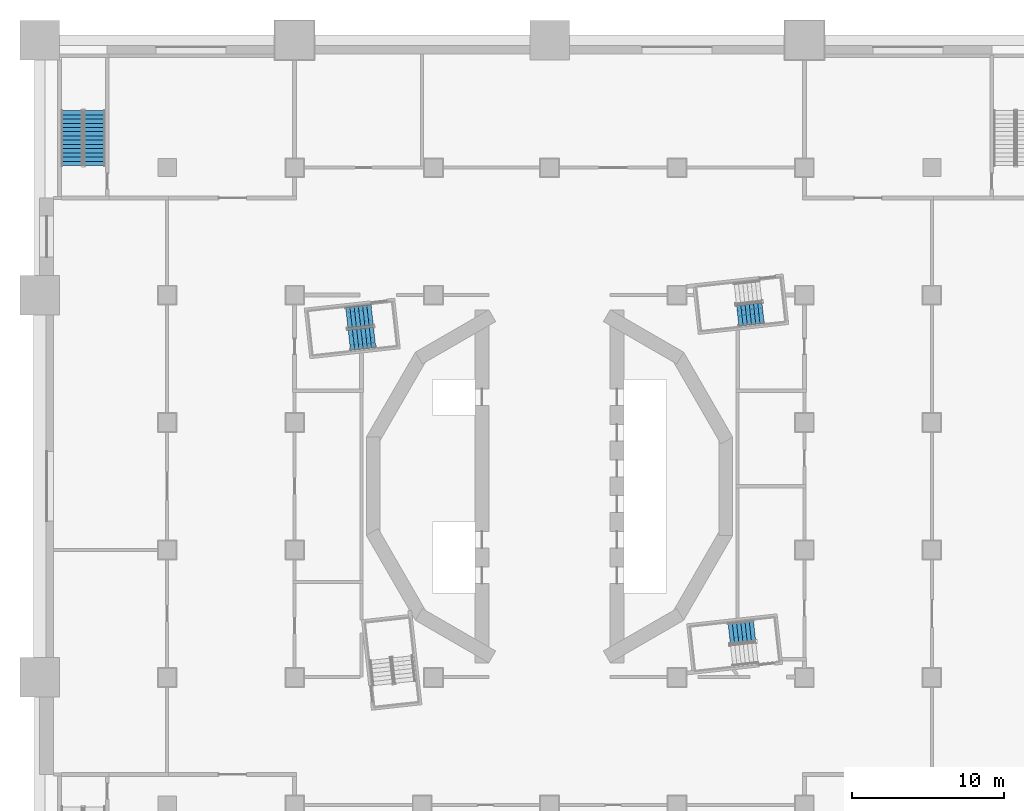
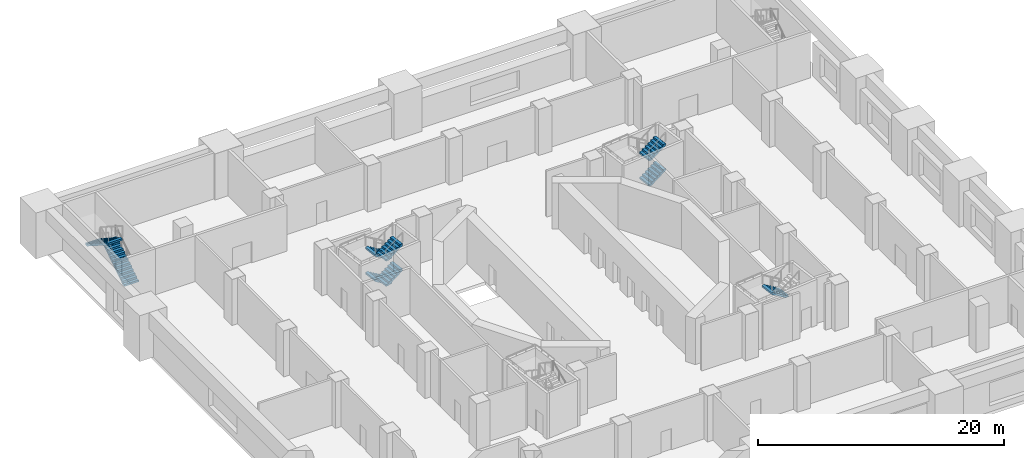
# One storey, part 7 of 17: 9 stair flights, 4 elements without a shape of their own.
"""IFC4 building model written with IfcOpenShell, lengths in metres."""

from ifc_helpers import new_model, si_unit, direction, frame, origin, place, context, subcontext, project, spatial, polyline, outline, extrude, material, type_object, element, aggregate, save


model = new_model("IFC4")

# Units and contexts
model_context = context("Model", 3, precision=1e-05, world=origin(), true_north=direction((0.0, 1.0)))
body_context = subcontext(model_context, "Body", "Model", "MODEL_VIEW")
ifc_project = project(units=[si_unit("LENGTHUNIT", "METRE"), si_unit("AREAUNIT", "SQUARE_METRE"), si_unit("VOLUMEUNIT", "CUBIC_METRE"), si_unit("PLANEANGLEUNIT", "RADIAN"), si_unit("MASSUNIT", "GRAM", prefix="KILO")], contexts=[model_context])

# Site, building, storey
site_placement = place(None, origin())
site = spatial("IfcSite", under=ifc_project, at=site_placement, CompositionType="ELEMENT")
building_placement = place(site_placement, origin())
building = spatial("IfcBuilding", under=site, at=building_placement, Name="Cantera Rosa Tower", CompositionType="ELEMENT")
storey_placement = place(building_placement, frame((0.0, 0.0, 32.0)))
storey = spatial("IfcBuildingStorey", under=building, at=storey_placement, Name="L05", CompositionType="ELEMENT", Elevation=32.0)

# Stair, stair flights
ifc_material_1 = material(Name="Concrete C35/45", Category="concrete")
stair_type_1 = type_object("IfcStairType", Name="EXIT STAIR 1350 DOGLEG", PredefinedType="HALF_TURN_STAIR", material=ifc_material_1)
stair_1_placement = place(storey_placement, origin())
stair_1 = element("IfcStair", 1, at=stair_1_placement, inside=storey, type_object=stair_type_1, Name="L05 ST-11", PredefinedType="HALF_TURN_STAIR")
ifc_material_2 = material(Name="Concrete C35/45", Category="concrete")
stair_flight_type_1 = type_object("IfcStairFlightType", Name="STAIR FLIGHT 1350 R28x179", PredefinedType="STRAIGHT", material=ifc_material_2)
stair_flight_1_placement = place(storey_placement, frame((12.404541015625, 11.2236328125, 1.25), z_axis=(0.0, 0.0, 1.0), x_axis=(0.993896947056, 0.110312549749, 0.0)))
stair_flight_1 = element("IfcStairFlight", 2, at=stair_flight_1_placement, type_object=stair_flight_type_1, Name="ST-11 flight 2", NumberOfRisers=7, NumberOfTreads=6, PredefinedType="STRAIGHT", RiserHeight=0.178571429, TreadLength=0.28, context=body_context, shape_type="SweptSolid", body=[
    extrude(outline(polyline([(0.0, 0.0), (0.0, 0.178466796875), (0.280029296875, 0.178466796875), (0.280029296875, 0.357177734375), (0.56005859375, 0.357177734375), (0.56005859375, 0.53564453125), (0.840087890625, 0.53564453125), (0.840087890625, 0.71435546875), (1.1201171875, 0.71435546875), (1.1201171875, 0.892822265625), (1.39990234375, 0.892822265625), (1.39990234375, 1.071533203125), (1.679931640625, 1.071533203125), (1.679931640625, 1.25), (1.679931640625, 0.8935546875), (0.27880859375, 0.0), (0.0, 0.0)])), frame((0.0, 0.675048828125, 0.0), z_axis=(0.0, -1.0, 0.0), x_axis=(1.0, 0.0, 0.0)), (0.0, 0.0, 1.0), 0.3359375),
    extrude(outline(polyline([(0.0, 0.0), (0.0, 0.178466796875), (0.280029296875, 0.178466796875), (0.280029296875, 0.357177734375), (0.56005859375, 0.357177734375), (0.56005859375, 0.53564453125), (0.840087890625, 0.53564453125), (0.840087890625, 0.71435546875), (1.1201171875, 0.71435546875), (1.1201171875, 0.892822265625), (1.39990234375, 0.892822265625), (1.39990234375, 1.071533203125), (1.679931640625, 1.071533203125), (1.679931640625, 1.25), (1.679931640625, 0.8935546875), (0.27880859375, 0.0), (0.0, 0.0)])), frame((0.0, 0.337158203125, 0.0), z_axis=(0.0, -1.0, 0.0), x_axis=(1.0, 0.0, 0.0)), (0.0, 0.0, 1.0), 0.3359375),
    extrude(outline(polyline([(0.0, 0.0), (0.0, 0.178466796875), (0.280029296875, 0.178466796875), (0.280029296875, 0.357177734375), (0.56005859375, 0.357177734375), (0.56005859375, 0.53564453125), (0.840087890625, 0.53564453125), (0.840087890625, 0.71435546875), (1.1201171875, 0.71435546875), (1.1201171875, 0.892822265625), (1.39990234375, 0.892822265625), (1.39990234375, 1.071533203125), (1.679931640625, 1.071533203125), (1.679931640625, 1.25), (1.679931640625, 0.8935546875), (0.27880859375, 0.0), (0.0, 0.0)])), frame((0.0, -0.000732421875, 0.0), z_axis=(0.0, -1.0, 0.0), x_axis=(1.0, 0.0, 0.0)), (0.0, 0.0, 1.0), 0.3359375),
    extrude(outline(polyline([(0.0, 0.0), (0.0, 0.178466796875), (0.280029296875, 0.178466796875), (0.280029296875, 0.357177734375), (0.56005859375, 0.357177734375), (0.56005859375, 0.53564453125), (0.840087890625, 0.53564453125), (0.840087890625, 0.71435546875), (1.1201171875, 0.71435546875), (1.1201171875, 0.892822265625), (1.39990234375, 0.892822265625), (1.39990234375, 1.071533203125), (1.679931640625, 1.071533203125), (1.679931640625, 1.25), (1.679931640625, 0.8935546875), (0.27880859375, 0.0), (0.0, 0.0)])), frame((0.0, -0.338623046875, 0.0), z_axis=(0.0, -1.0, 0.0), x_axis=(1.0, 0.0, 0.0)), (0.0, 0.0, 1.0), 0.3359375),
])
stair_flight_2_placement = place(storey_placement, frame((12.404541015625, 11.2236328125, 3.75), z_axis=(0.0, 0.0, 1.0), x_axis=(0.993896947056, 0.110312549749, 0.0)))
stair_flight_2 = element("IfcStairFlight", 3, at=stair_flight_2_placement, type_object=stair_flight_type_1, Name="ST-11 flight 4", NumberOfRisers=7, NumberOfTreads=6, PredefinedType="STRAIGHT", RiserHeight=0.178571429, TreadLength=0.28, context=body_context, shape_type="SweptSolid", body=[
    extrude(outline(polyline([(0.0, 0.0), (0.0, 0.178466796875), (0.280029296875, 0.178466796875), (0.280029296875, 0.357177734375), (0.56005859375, 0.357177734375), (0.56005859375, 0.53564453125), (0.840087890625, 0.53564453125), (0.840087890625, 0.71435546875), (1.1201171875, 0.71435546875), (1.1201171875, 0.892822265625), (1.39990234375, 0.892822265625), (1.39990234375, 1.071533203125), (1.679931640625, 1.071533203125), (1.679931640625, 1.25), (1.679931640625, 0.8935546875), (0.27880859375, 0.0), (0.0, 0.0)])), frame((0.0, 0.675048828125, 0.0), z_axis=(0.0, -1.0, 0.0), x_axis=(1.0, 0.0, 0.0)), (0.0, 0.0, 1.0), 0.3359375),
    extrude(outline(polyline([(0.0, 0.0), (0.0, 0.178466796875), (0.280029296875, 0.178466796875), (0.280029296875, 0.357177734375), (0.56005859375, 0.357177734375), (0.56005859375, 0.53564453125), (0.840087890625, 0.53564453125), (0.840087890625, 0.71435546875), (1.1201171875, 0.71435546875), (1.1201171875, 0.892822265625), (1.39990234375, 0.892822265625), (1.39990234375, 1.071533203125), (1.679931640625, 1.071533203125), (1.679931640625, 1.25), (1.679931640625, 0.8935546875), (0.27880859375, 0.0), (0.0, 0.0)])), frame((0.0, 0.337158203125, 0.0), z_axis=(0.0, -1.0, 0.0), x_axis=(1.0, 0.0, 0.0)), (0.0, 0.0, 1.0), 0.3359375),
    extrude(outline(polyline([(0.0, 0.0), (0.0, 0.178466796875), (0.280029296875, 0.178466796875), (0.280029296875, 0.357177734375), (0.56005859375, 0.357177734375), (0.56005859375, 0.53564453125), (0.840087890625, 0.53564453125), (0.840087890625, 0.71435546875), (1.1201171875, 0.71435546875), (1.1201171875, 0.892822265625), (1.39990234375, 0.892822265625), (1.39990234375, 1.071533203125), (1.679931640625, 1.071533203125), (1.679931640625, 1.25), (1.679931640625, 0.8935546875), (0.27880859375, 0.0), (0.0, 0.0)])), frame((0.0, -0.000732421875, 0.0), z_axis=(0.0, -1.0, 0.0), x_axis=(1.0, 0.0, 0.0)), (0.0, 0.0, 1.0), 0.3359375),
    extrude(outline(polyline([(0.0, 0.0), (0.0, 0.178466796875), (0.280029296875, 0.178466796875), (0.280029296875, 0.357177734375), (0.56005859375, 0.357177734375), (0.56005859375, 0.53564453125), (0.840087890625, 0.53564453125), (0.840087890625, 0.71435546875), (1.1201171875, 0.71435546875), (1.1201171875, 0.892822265625), (1.39990234375, 0.892822265625), (1.39990234375, 1.071533203125), (1.679931640625, 1.071533203125), (1.679931640625, 1.25), (1.679931640625, 0.8935546875), (0.27880859375, 0.0), (0.0, 0.0)])), frame((0.0, -0.338623046875, 0.0), z_axis=(0.0, -1.0, 0.0), x_axis=(1.0, 0.0, 0.0)), (0.0, 0.0, 1.0), 0.3359375),
])
aggregate(stair_1, [stair_flight_1, stair_flight_2])

stair_2_placement = place(storey_placement, origin())
stair_2 = element("IfcStair", 4, at=stair_2_placement, inside=storey, type_object=stair_type_1, Name="L05 ST-12", PredefinedType="HALF_TURN_STAIR")
stair_flight_3_placement = place(storey_placement, frame((-11.691162109375, 11.2998046875, 0.0), z_axis=(0.0, 0.0, 1.0), x_axis=(-0.993896947056, -0.110312549749, 0.0)))
stair_flight_3 = element("IfcStairFlight", 5, at=stair_flight_3_placement, type_object=stair_flight_type_1, Name="ST-12 flight 1", NumberOfRisers=7, NumberOfTreads=6, PredefinedType="STRAIGHT", RiserHeight=0.178571429, TreadLength=0.28, context=body_context, shape_type="SweptSolid", body=[
    extrude(outline(polyline([(0.0, 0.0), (0.0, 0.178466796875), (0.280029296875, 0.178466796875), (0.280029296875, 0.357177734375), (0.56005859375, 0.357177734375), (0.56005859375, 0.53564453125), (0.840087890625, 0.53564453125), (0.840087890625, 0.71435546875), (1.1201171875, 0.71435546875), (1.1201171875, 0.892822265625), (1.39990234375, 0.892822265625), (1.39990234375, 1.071533203125), (1.679931640625, 1.071533203125), (1.679931640625, 1.25), (1.679931640625, 0.8935546875), (0.27880859375, 0.0), (0.0, 0.0)])), frame((0.0, 0.675048828125, 0.0), z_axis=(0.0, -1.0, 0.0), x_axis=(1.0, 0.0, 0.0)), (0.0, 0.0, 1.0), 0.3359375),
    extrude(outline(polyline([(0.0, 0.0), (0.0, 0.178466796875), (0.280029296875, 0.178466796875), (0.280029296875, 0.357177734375), (0.56005859375, 0.357177734375), (0.56005859375, 0.53564453125), (0.840087890625, 0.53564453125), (0.840087890625, 0.71435546875), (1.1201171875, 0.71435546875), (1.1201171875, 0.892822265625), (1.39990234375, 0.892822265625), (1.39990234375, 1.071533203125), (1.679931640625, 1.071533203125), (1.679931640625, 1.25), (1.679931640625, 0.8935546875), (0.27880859375, 0.0), (0.0, 0.0)])), frame((0.0, 0.337158203125, 0.0), z_axis=(0.0, -1.0, 0.0), x_axis=(1.0, 0.0, 0.0)), (0.0, 0.0, 1.0), 0.3359375),
    extrude(outline(polyline([(0.0, 0.0), (0.0, 0.178466796875), (0.280029296875, 0.178466796875), (0.280029296875, 0.357177734375), (0.56005859375, 0.357177734375), (0.56005859375, 0.53564453125), (0.840087890625, 0.53564453125), (0.840087890625, 0.71435546875), (1.1201171875, 0.71435546875), (1.1201171875, 0.892822265625), (1.39990234375, 0.892822265625), (1.39990234375, 1.071533203125), (1.679931640625, 1.071533203125), (1.679931640625, 1.25), (1.679931640625, 0.8935546875), (0.27880859375, 0.0), (0.0, 0.0)])), frame((0.0, -0.000732421875, 0.0), z_axis=(0.0, -1.0, 0.0), x_axis=(1.0, 0.0, 0.0)), (0.0, 0.0, 1.0), 0.3359375),
    extrude(outline(polyline([(0.0, 0.0), (0.0, 0.178466796875), (0.280029296875, 0.178466796875), (0.280029296875, 0.357177734375), (0.56005859375, 0.357177734375), (0.56005859375, 0.53564453125), (0.840087890625, 0.53564453125), (0.840087890625, 0.71435546875), (1.1201171875, 0.71435546875), (1.1201171875, 0.892822265625), (1.39990234375, 0.892822265625), (1.39990234375, 1.071533203125), (1.679931640625, 1.071533203125), (1.679931640625, 1.25), (1.679931640625, 0.8935546875), (0.27880859375, 0.0), (0.0, 0.0)])), frame((0.0, -0.338623046875, 0.0), z_axis=(0.0, -1.0, 0.0), x_axis=(1.0, 0.0, 0.0)), (0.0, 0.0, 1.0), 0.3359375),
])
stair_flight_4_placement = place(storey_placement, frame((-13.195556640625, 9.623779296875, 1.25), z_axis=(0.0, 0.0, 1.0), x_axis=(0.993896947056, 0.110312549749, 0.0)))
stair_flight_4 = element("IfcStairFlight", 6, at=stair_flight_4_placement, type_object=stair_flight_type_1, Name="ST-12 flight 2", NumberOfRisers=7, NumberOfTreads=6, PredefinedType="STRAIGHT", RiserHeight=0.178571429, TreadLength=0.28, context=body_context, shape_type="SweptSolid", body=[
    extrude(outline(polyline([(0.0, 0.0), (0.0, 0.178466796875), (0.280029296875, 0.178466796875), (0.280029296875, 0.357177734375), (0.56005859375, 0.357177734375), (0.56005859375, 0.53564453125), (0.840087890625, 0.53564453125), (0.840087890625, 0.71435546875), (1.1201171875, 0.71435546875), (1.1201171875, 0.892822265625), (1.39990234375, 0.892822265625), (1.39990234375, 1.071533203125), (1.679931640625, 1.071533203125), (1.679931640625, 1.25), (1.679931640625, 0.8935546875), (0.27880859375, 0.0), (0.0, 0.0)])), frame((0.0, 0.675048828125, 0.0), z_axis=(0.0, -1.0, 0.0), x_axis=(1.0, 0.0, 0.0)), (0.0, 0.0, 1.0), 0.3359375),
    extrude(outline(polyline([(0.0, 0.0), (0.0, 0.178466796875), (0.280029296875, 0.178466796875), (0.280029296875, 0.357177734375), (0.56005859375, 0.357177734375), (0.56005859375, 0.53564453125), (0.840087890625, 0.53564453125), (0.840087890625, 0.71435546875), (1.1201171875, 0.71435546875), (1.1201171875, 0.892822265625), (1.39990234375, 0.892822265625), (1.39990234375, 1.071533203125), (1.679931640625, 1.071533203125), (1.679931640625, 1.25), (1.679931640625, 0.8935546875), (0.27880859375, 0.0), (0.0, 0.0)])), frame((0.0, 0.337158203125, 0.0), z_axis=(0.0, -1.0, 0.0), x_axis=(1.0, 0.0, 0.0)), (0.0, 0.0, 1.0), 0.3359375),
    extrude(outline(polyline([(0.0, 0.0), (0.0, 0.178466796875), (0.280029296875, 0.178466796875), (0.280029296875, 0.357177734375), (0.56005859375, 0.357177734375), (0.56005859375, 0.53564453125), (0.840087890625, 0.53564453125), (0.840087890625, 0.71435546875), (1.1201171875, 0.71435546875), (1.1201171875, 0.892822265625), (1.39990234375, 0.892822265625), (1.39990234375, 1.071533203125), (1.679931640625, 1.071533203125), (1.679931640625, 1.25), (1.679931640625, 0.8935546875), (0.27880859375, 0.0), (0.0, 0.0)])), frame((0.0, -0.000732421875, 0.0), z_axis=(0.0, -1.0, 0.0), x_axis=(1.0, 0.0, 0.0)), (0.0, 0.0, 1.0), 0.3359375),
    extrude(outline(polyline([(0.0, 0.0), (0.0, 0.178466796875), (0.280029296875, 0.178466796875), (0.280029296875, 0.357177734375), (0.56005859375, 0.357177734375), (0.56005859375, 0.53564453125), (0.840087890625, 0.53564453125), (0.840087890625, 0.71435546875), (1.1201171875, 0.71435546875), (1.1201171875, 0.892822265625), (1.39990234375, 0.892822265625), (1.39990234375, 1.071533203125), (1.679931640625, 1.071533203125), (1.679931640625, 1.25), (1.679931640625, 0.8935546875), (0.27880859375, 0.0), (0.0, 0.0)])), frame((0.0, -0.338623046875, 0.0), z_axis=(0.0, -1.0, 0.0), x_axis=(1.0, 0.0, 0.0)), (0.0, 0.0, 1.0), 0.3359375),
])
stair_flight_5_placement = place(storey_placement, frame((-11.691162109375, 11.2998046875, 2.5), z_axis=(0.0, 0.0, 1.0), x_axis=(-0.993896947056, -0.110312549749, 0.0)))
stair_flight_5 = element("IfcStairFlight", 7, at=stair_flight_5_placement, type_object=stair_flight_type_1, Name="ST-12 flight 3", NumberOfRisers=7, NumberOfTreads=6, PredefinedType="STRAIGHT", RiserHeight=0.178571429, TreadLength=0.28, context=body_context, shape_type="SweptSolid", body=[
    extrude(outline(polyline([(0.0, 0.0), (0.0, 0.178466796875), (0.280029296875, 0.178466796875), (0.280029296875, 0.357177734375), (0.56005859375, 0.357177734375), (0.56005859375, 0.53564453125), (0.840087890625, 0.53564453125), (0.840087890625, 0.71435546875), (1.1201171875, 0.71435546875), (1.1201171875, 0.892822265625), (1.39990234375, 0.892822265625), (1.39990234375, 1.071533203125), (1.679931640625, 1.071533203125), (1.679931640625, 1.25), (1.679931640625, 0.8935546875), (0.27880859375, 0.0), (0.0, 0.0)])), frame((0.0, 0.675048828125, 0.0), z_axis=(0.0, -1.0, 0.0), x_axis=(1.0, 0.0, 0.0)), (0.0, 0.0, 1.0), 0.3359375),
    extrude(outline(polyline([(0.0, 0.0), (0.0, 0.178466796875), (0.280029296875, 0.178466796875), (0.280029296875, 0.357177734375), (0.56005859375, 0.357177734375), (0.56005859375, 0.53564453125), (0.840087890625, 0.53564453125), (0.840087890625, 0.71435546875), (1.1201171875, 0.71435546875), (1.1201171875, 0.892822265625), (1.39990234375, 0.892822265625), (1.39990234375, 1.071533203125), (1.679931640625, 1.071533203125), (1.679931640625, 1.25), (1.679931640625, 0.8935546875), (0.27880859375, 0.0), (0.0, 0.0)])), frame((0.0, 0.337158203125, 0.0), z_axis=(0.0, -1.0, 0.0), x_axis=(1.0, 0.0, 0.0)), (0.0, 0.0, 1.0), 0.3359375),
    extrude(outline(polyline([(0.0, 0.0), (0.0, 0.178466796875), (0.280029296875, 0.178466796875), (0.280029296875, 0.357177734375), (0.56005859375, 0.357177734375), (0.56005859375, 0.53564453125), (0.840087890625, 0.53564453125), (0.840087890625, 0.71435546875), (1.1201171875, 0.71435546875), (1.1201171875, 0.892822265625), (1.39990234375, 0.892822265625), (1.39990234375, 1.071533203125), (1.679931640625, 1.071533203125), (1.679931640625, 1.25), (1.679931640625, 0.8935546875), (0.27880859375, 0.0), (0.0, 0.0)])), frame((0.0, -0.000732421875, 0.0), z_axis=(0.0, -1.0, 0.0), x_axis=(1.0, 0.0, 0.0)), (0.0, 0.0, 1.0), 0.3359375),
    extrude(outline(polyline([(0.0, 0.0), (0.0, 0.178466796875), (0.280029296875, 0.178466796875), (0.280029296875, 0.357177734375), (0.56005859375, 0.357177734375), (0.56005859375, 0.53564453125), (0.840087890625, 0.53564453125), (0.840087890625, 0.71435546875), (1.1201171875, 0.71435546875), (1.1201171875, 0.892822265625), (1.39990234375, 0.892822265625), (1.39990234375, 1.071533203125), (1.679931640625, 1.071533203125), (1.679931640625, 1.25), (1.679931640625, 0.8935546875), (0.27880859375, 0.0), (0.0, 0.0)])), frame((0.0, -0.338623046875, 0.0), z_axis=(0.0, -1.0, 0.0), x_axis=(1.0, 0.0, 0.0)), (0.0, 0.0, 1.0), 0.3359375),
])
stair_flight_6_placement = place(storey_placement, frame((-13.195556640625, 9.623779296875, 3.75), z_axis=(0.0, 0.0, 1.0), x_axis=(0.993896947056, 0.110312549749, 0.0)))
stair_flight_6 = element("IfcStairFlight", 8, at=stair_flight_6_placement, type_object=stair_flight_type_1, Name="ST-12 flight 4", NumberOfRisers=7, NumberOfTreads=6, PredefinedType="STRAIGHT", RiserHeight=0.178571429, TreadLength=0.28, context=body_context, shape_type="SweptSolid", body=[
    extrude(outline(polyline([(0.0, 0.0), (0.0, 0.178466796875), (0.280029296875, 0.178466796875), (0.280029296875, 0.357177734375), (0.56005859375, 0.357177734375), (0.56005859375, 0.53564453125), (0.840087890625, 0.53564453125), (0.840087890625, 0.71435546875), (1.1201171875, 0.71435546875), (1.1201171875, 0.892822265625), (1.39990234375, 0.892822265625), (1.39990234375, 1.071533203125), (1.679931640625, 1.071533203125), (1.679931640625, 1.25), (1.679931640625, 0.8935546875), (0.27880859375, 0.0), (0.0, 0.0)])), frame((0.0, 0.675048828125, 0.0), z_axis=(0.0, -1.0, 0.0), x_axis=(1.0, 0.0, 0.0)), (0.0, 0.0, 1.0), 0.3359375),
    extrude(outline(polyline([(0.0, 0.0), (0.0, 0.178466796875), (0.280029296875, 0.178466796875), (0.280029296875, 0.357177734375), (0.56005859375, 0.357177734375), (0.56005859375, 0.53564453125), (0.840087890625, 0.53564453125), (0.840087890625, 0.71435546875), (1.1201171875, 0.71435546875), (1.1201171875, 0.892822265625), (1.39990234375, 0.892822265625), (1.39990234375, 1.071533203125), (1.679931640625, 1.071533203125), (1.679931640625, 1.25), (1.679931640625, 0.8935546875), (0.27880859375, 0.0), (0.0, 0.0)])), frame((0.0, 0.337158203125, 0.0), z_axis=(0.0, -1.0, 0.0), x_axis=(1.0, 0.0, 0.0)), (0.0, 0.0, 1.0), 0.3359375),
    extrude(outline(polyline([(0.0, 0.0), (0.0, 0.178466796875), (0.280029296875, 0.178466796875), (0.280029296875, 0.357177734375), (0.56005859375, 0.357177734375), (0.56005859375, 0.53564453125), (0.840087890625, 0.53564453125), (0.840087890625, 0.71435546875), (1.1201171875, 0.71435546875), (1.1201171875, 0.892822265625), (1.39990234375, 0.892822265625), (1.39990234375, 1.071533203125), (1.679931640625, 1.071533203125), (1.679931640625, 1.25), (1.679931640625, 0.8935546875), (0.27880859375, 0.0), (0.0, 0.0)])), frame((0.0, -0.000732421875, 0.0), z_axis=(0.0, -1.0, 0.0), x_axis=(1.0, 0.0, 0.0)), (0.0, 0.0, 1.0), 0.3359375),
    extrude(outline(polyline([(0.0, 0.0), (0.0, 0.178466796875), (0.280029296875, 0.178466796875), (0.280029296875, 0.357177734375), (0.56005859375, 0.357177734375), (0.56005859375, 0.53564453125), (0.840087890625, 0.53564453125), (0.840087890625, 0.71435546875), (1.1201171875, 0.71435546875), (1.1201171875, 0.892822265625), (1.39990234375, 0.892822265625), (1.39990234375, 1.071533203125), (1.679931640625, 1.071533203125), (1.679931640625, 1.25), (1.679931640625, 0.8935546875), (0.27880859375, 0.0), (0.0, 0.0)])), frame((0.0, -0.338623046875, 0.0), z_axis=(0.0, -1.0, 0.0), x_axis=(1.0, 0.0, 0.0)), (0.0, 0.0, 1.0), 0.3359375),
])
aggregate(stair_2, [stair_flight_3, stair_flight_4, stair_flight_5, stair_flight_6])

# Stair, stair flight
stair_3_placement = place(storey_placement, origin())
stair_3 = element("IfcStair", 9, at=stair_3_placement, inside=storey, type_object=stair_type_1, Name="L05 ST-14", PredefinedType="HALF_TURN_STAIR")
stair_flight_7_placement = place(storey_placement, frame((13.5087890625, -9.500244140625, 2.5), z_axis=(0.0, 0.0, 1.0), x_axis=(-0.993896947056, -0.110312549749, 0.0)))
stair_flight_7 = element("IfcStairFlight", 10, at=stair_flight_7_placement, type_object=stair_flight_type_1, Name="ST-14 flight 3", NumberOfRisers=7, NumberOfTreads=6, PredefinedType="STRAIGHT", RiserHeight=0.178571429, TreadLength=0.28, context=body_context, shape_type="SweptSolid", body=[
    extrude(outline(polyline([(0.0, 0.0), (0.0, 0.178466796875), (0.280029296875, 0.178466796875), (0.280029296875, 0.357177734375), (0.56005859375, 0.357177734375), (0.56005859375, 0.53564453125), (0.840087890625, 0.53564453125), (0.840087890625, 0.71435546875), (1.1201171875, 0.71435546875), (1.1201171875, 0.892822265625), (1.39990234375, 0.892822265625), (1.39990234375, 1.071533203125), (1.679931640625, 1.071533203125), (1.679931640625, 1.25), (1.679931640625, 0.8935546875), (0.27880859375, 0.0), (0.0, 0.0)])), frame((0.0, 0.675048828125, 0.0), z_axis=(0.0, -1.0, 0.0), x_axis=(1.0, 0.0, 0.0)), (0.0, 0.0, 1.0), 0.3359375),
    extrude(outline(polyline([(0.0, 0.0), (0.0, 0.178466796875), (0.280029296875, 0.178466796875), (0.280029296875, 0.357177734375), (0.56005859375, 0.357177734375), (0.56005859375, 0.53564453125), (0.840087890625, 0.53564453125), (0.840087890625, 0.71435546875), (1.1201171875, 0.71435546875), (1.1201171875, 0.892822265625), (1.39990234375, 0.892822265625), (1.39990234375, 1.071533203125), (1.679931640625, 1.071533203125), (1.679931640625, 1.25), (1.679931640625, 0.8935546875), (0.27880859375, 0.0), (0.0, 0.0)])), frame((0.0, 0.337158203125, 0.0), z_axis=(0.0, -1.0, 0.0), x_axis=(1.0, 0.0, 0.0)), (0.0, 0.0, 1.0), 0.3359375),
    extrude(outline(polyline([(0.0, 0.0), (0.0, 0.178466796875), (0.280029296875, 0.178466796875), (0.280029296875, 0.357177734375), (0.56005859375, 0.357177734375), (0.56005859375, 0.53564453125), (0.840087890625, 0.53564453125), (0.840087890625, 0.71435546875), (1.1201171875, 0.71435546875), (1.1201171875, 0.892822265625), (1.39990234375, 0.892822265625), (1.39990234375, 1.071533203125), (1.679931640625, 1.071533203125), (1.679931640625, 1.25), (1.679931640625, 0.8935546875), (0.27880859375, 0.0), (0.0, 0.0)])), frame((0.0, -0.000732421875, 0.0), z_axis=(0.0, -1.0, 0.0), x_axis=(1.0, 0.0, 0.0)), (0.0, 0.0, 1.0), 0.3359375),
    extrude(outline(polyline([(0.0, 0.0), (0.0, 0.178466796875), (0.280029296875, 0.178466796875), (0.280029296875, 0.357177734375), (0.56005859375, 0.357177734375), (0.56005859375, 0.53564453125), (0.840087890625, 0.53564453125), (0.840087890625, 0.71435546875), (1.1201171875, 0.71435546875), (1.1201171875, 0.892822265625), (1.39990234375, 0.892822265625), (1.39990234375, 1.071533203125), (1.679931640625, 1.071533203125), (1.679931640625, 1.25), (1.679931640625, 0.8935546875), (0.27880859375, 0.0), (0.0, 0.0)])), frame((0.0, -0.338623046875, 0.0), z_axis=(0.0, -1.0, 0.0), x_axis=(1.0, 0.0, 0.0)), (0.0, 0.0, 1.0), 0.3359375),
])
aggregate(stair_3, [stair_flight_7])

# Stair, stair flights
ifc_material_3 = material(Name="Concrete C35/45", Category="concrete")
stair_type_2 = type_object("IfcStairType", Name="Stair half-turn 1350", PredefinedType="HALF_TURN_STAIR", material=ifc_material_3)
stair_4_placement = place(storey_placement, origin())
stair_4 = element("IfcStair", 11, at=stair_4_placement, inside=storey, type_object=stair_type_2, Name="L05 ST-NW", PredefinedType="HALF_TURN_STAIR")
ifc_material_4 = material(Name="Concrete C35/45", Category="concrete")
stair_flight_type_2 = type_object("IfcStairFlightType", Name="Stair flight 1350", PredefinedType="STRAIGHT", material=ifc_material_4)
stair_flight_8_placement = place(storey_placement, frame((-29.949951171875, 21.125, 0.0), z_axis=(0.0, 0.0, 1.0), x_axis=(0.0, 1.0, 0.0)))
stair_flight_8 = element("IfcStairFlight", 12, at=stair_flight_8_placement, type_object=stair_flight_type_2, Name="ST-NW flight 1", NumberOfRisers=14, NumberOfTreads=13, PredefinedType="STRAIGHT", RiserHeight=0.178571429, TreadLength=0.28, context=body_context, shape_type="SweptSolid", body=[
    extrude(outline(polyline([(0.0, 0.0), (0.0, 0.178466796875), (0.280029296875, 0.178466796875), (0.280029296875, 0.357177734375), (0.56005859375, 0.357177734375), (0.56005859375, 0.53564453125), (0.840087890625, 0.53564453125), (0.840087890625, 0.71435546875), (1.1201171875, 0.71435546875), (1.1201171875, 0.892822265625), (1.39990234375, 0.892822265625), (1.39990234375, 1.071533203125), (1.679931640625, 1.071533203125), (1.679931640625, 1.25), (1.9599609375, 1.25), (1.9599609375, 1.428466796875), (2.239990234375, 1.428466796875), (2.239990234375, 1.607177734375), (2.52001953125, 1.607177734375), (2.52001953125, 1.78564453125), (2.800048828125, 1.78564453125), (2.800048828125, 1.96435546875), (3.080078125, 1.96435546875), (3.080078125, 2.142822265625), (3.360107421875, 2.142822265625), (3.360107421875, 2.321533203125), (3.639892578125, 2.321533203125), (3.639892578125, 2.5), (3.639892578125, 2.1435546875), (0.27880859375, 0.0), (0.0, 0.0)])), frame((0.0, 0.675048828125, 0.0), z_axis=(0.0, -1.0, 0.0), x_axis=(1.0, 0.0, 0.0)), (0.0, 0.0, 1.0), 0.3359375),
    extrude(outline(polyline([(0.0, 0.0), (0.0, 0.178466796875), (0.280029296875, 0.178466796875), (0.280029296875, 0.357177734375), (0.56005859375, 0.357177734375), (0.56005859375, 0.53564453125), (0.840087890625, 0.53564453125), (0.840087890625, 0.71435546875), (1.1201171875, 0.71435546875), (1.1201171875, 0.892822265625), (1.39990234375, 0.892822265625), (1.39990234375, 1.071533203125), (1.679931640625, 1.071533203125), (1.679931640625, 1.25), (1.9599609375, 1.25), (1.9599609375, 1.428466796875), (2.239990234375, 1.428466796875), (2.239990234375, 1.607177734375), (2.52001953125, 1.607177734375), (2.52001953125, 1.78564453125), (2.800048828125, 1.78564453125), (2.800048828125, 1.96435546875), (3.080078125, 1.96435546875), (3.080078125, 2.142822265625), (3.360107421875, 2.142822265625), (3.360107421875, 2.321533203125), (3.639892578125, 2.321533203125), (3.639892578125, 2.5), (3.639892578125, 2.1435546875), (0.27880859375, 0.0), (0.0, 0.0)])), frame((0.0, 0.337158203125, 0.0), z_axis=(0.0, -1.0, 0.0), x_axis=(1.0, 0.0, 0.0)), (0.0, 0.0, 1.0), 0.3359375),
    extrude(outline(polyline([(0.0, 0.0), (0.0, 0.178466796875), (0.280029296875, 0.178466796875), (0.280029296875, 0.357177734375), (0.56005859375, 0.357177734375), (0.56005859375, 0.53564453125), (0.840087890625, 0.53564453125), (0.840087890625, 0.71435546875), (1.1201171875, 0.71435546875), (1.1201171875, 0.892822265625), (1.39990234375, 0.892822265625), (1.39990234375, 1.071533203125), (1.679931640625, 1.071533203125), (1.679931640625, 1.25), (1.9599609375, 1.25), (1.9599609375, 1.428466796875), (2.239990234375, 1.428466796875), (2.239990234375, 1.607177734375), (2.52001953125, 1.607177734375), (2.52001953125, 1.78564453125), (2.800048828125, 1.78564453125), (2.800048828125, 1.96435546875), (3.080078125, 1.96435546875), (3.080078125, 2.142822265625), (3.360107421875, 2.142822265625), (3.360107421875, 2.321533203125), (3.639892578125, 2.321533203125), (3.639892578125, 2.5), (3.639892578125, 2.1435546875), (0.27880859375, 0.0), (0.0, 0.0)])), frame((0.0, -0.000732421875, 0.0), z_axis=(0.0, -1.0, 0.0), x_axis=(1.0, 0.0, 0.0)), (0.0, 0.0, 1.0), 0.3359375),
    extrude(outline(polyline([(0.0, 0.0), (0.0, 0.178466796875), (0.280029296875, 0.178466796875), (0.280029296875, 0.357177734375), (0.56005859375, 0.357177734375), (0.56005859375, 0.53564453125), (0.840087890625, 0.53564453125), (0.840087890625, 0.71435546875), (1.1201171875, 0.71435546875), (1.1201171875, 0.892822265625), (1.39990234375, 0.892822265625), (1.39990234375, 1.071533203125), (1.679931640625, 1.071533203125), (1.679931640625, 1.25), (1.9599609375, 1.25), (1.9599609375, 1.428466796875), (2.239990234375, 1.428466796875), (2.239990234375, 1.607177734375), (2.52001953125, 1.607177734375), (2.52001953125, 1.78564453125), (2.800048828125, 1.78564453125), (2.800048828125, 1.96435546875), (3.080078125, 1.96435546875), (3.080078125, 2.142822265625), (3.360107421875, 2.142822265625), (3.360107421875, 2.321533203125), (3.639892578125, 2.321533203125), (3.639892578125, 2.5), (3.639892578125, 2.1435546875), (0.27880859375, 0.0), (0.0, 0.0)])), frame((0.0, -0.338623046875, 0.0), z_axis=(0.0, -1.0, 0.0), x_axis=(1.0, 0.0, 0.0)), (0.0, 0.0, 1.0), 0.3359375),
])
stair_flight_9_placement = place(storey_placement, frame((-31.5, 24.764892578125, 2.5), z_axis=(0.0, 0.0, 1.0), x_axis=(0.0, -1.0, 0.0)))
stair_flight_9 = element("IfcStairFlight", 13, at=stair_flight_9_placement, type_object=stair_flight_type_2, Name="ST-NW flight 2", NumberOfRisers=14, NumberOfTreads=13, PredefinedType="STRAIGHT", RiserHeight=0.178571429, TreadLength=0.28, context=body_context, shape_type="SweptSolid", body=[
    extrude(outline(polyline([(0.0, 0.0), (0.0, 0.178466796875), (0.280029296875, 0.178466796875), (0.280029296875, 0.357177734375), (0.56005859375, 0.357177734375), (0.56005859375, 0.53564453125), (0.840087890625, 0.53564453125), (0.840087890625, 0.71435546875), (1.1201171875, 0.71435546875), (1.1201171875, 0.892822265625), (1.39990234375, 0.892822265625), (1.39990234375, 1.071533203125), (1.679931640625, 1.071533203125), (1.679931640625, 1.25), (1.9599609375, 1.25), (1.9599609375, 1.428466796875), (2.239990234375, 1.428466796875), (2.239990234375, 1.607177734375), (2.52001953125, 1.607177734375), (2.52001953125, 1.78564453125), (2.800048828125, 1.78564453125), (2.800048828125, 1.96435546875), (3.080078125, 1.96435546875), (3.080078125, 2.142822265625), (3.360107421875, 2.142822265625), (3.360107421875, 2.321533203125), (3.639892578125, 2.321533203125), (3.639892578125, 2.5), (3.639892578125, 2.1435546875), (0.27880859375, 0.0), (0.0, 0.0)])), frame((0.0, 0.675048828125, 0.0), z_axis=(0.0, -1.0, 0.0), x_axis=(1.0, 0.0, 0.0)), (0.0, 0.0, 1.0), 0.3359375),
    extrude(outline(polyline([(0.0, 0.0), (0.0, 0.178466796875), (0.280029296875, 0.178466796875), (0.280029296875, 0.357177734375), (0.56005859375, 0.357177734375), (0.56005859375, 0.53564453125), (0.840087890625, 0.53564453125), (0.840087890625, 0.71435546875), (1.1201171875, 0.71435546875), (1.1201171875, 0.892822265625), (1.39990234375, 0.892822265625), (1.39990234375, 1.071533203125), (1.679931640625, 1.071533203125), (1.679931640625, 1.25), (1.9599609375, 1.25), (1.9599609375, 1.428466796875), (2.239990234375, 1.428466796875), (2.239990234375, 1.607177734375), (2.52001953125, 1.607177734375), (2.52001953125, 1.78564453125), (2.800048828125, 1.78564453125), (2.800048828125, 1.96435546875), (3.080078125, 1.96435546875), (3.080078125, 2.142822265625), (3.360107421875, 2.142822265625), (3.360107421875, 2.321533203125), (3.639892578125, 2.321533203125), (3.639892578125, 2.5), (3.639892578125, 2.1435546875), (0.27880859375, 0.0), (0.0, 0.0)])), frame((0.0, 0.337158203125, 0.0), z_axis=(0.0, -1.0, 0.0), x_axis=(1.0, 0.0, 0.0)), (0.0, 0.0, 1.0), 0.3359375),
    extrude(outline(polyline([(0.0, 0.0), (0.0, 0.178466796875), (0.280029296875, 0.178466796875), (0.280029296875, 0.357177734375), (0.56005859375, 0.357177734375), (0.56005859375, 0.53564453125), (0.840087890625, 0.53564453125), (0.840087890625, 0.71435546875), (1.1201171875, 0.71435546875), (1.1201171875, 0.892822265625), (1.39990234375, 0.892822265625), (1.39990234375, 1.071533203125), (1.679931640625, 1.071533203125), (1.679931640625, 1.25), (1.9599609375, 1.25), (1.9599609375, 1.428466796875), (2.239990234375, 1.428466796875), (2.239990234375, 1.607177734375), (2.52001953125, 1.607177734375), (2.52001953125, 1.78564453125), (2.800048828125, 1.78564453125), (2.800048828125, 1.96435546875), (3.080078125, 1.96435546875), (3.080078125, 2.142822265625), (3.360107421875, 2.142822265625), (3.360107421875, 2.321533203125), (3.639892578125, 2.321533203125), (3.639892578125, 2.5), (3.639892578125, 2.1435546875), (0.27880859375, 0.0), (0.0, 0.0)])), frame((0.0, -0.000732421875, 0.0), z_axis=(0.0, -1.0, 0.0), x_axis=(1.0, 0.0, 0.0)), (0.0, 0.0, 1.0), 0.3359375),
    extrude(outline(polyline([(0.0, 0.0), (0.0, 0.178466796875), (0.280029296875, 0.178466796875), (0.280029296875, 0.357177734375), (0.56005859375, 0.357177734375), (0.56005859375, 0.53564453125), (0.840087890625, 0.53564453125), (0.840087890625, 0.71435546875), (1.1201171875, 0.71435546875), (1.1201171875, 0.892822265625), (1.39990234375, 0.892822265625), (1.39990234375, 1.071533203125), (1.679931640625, 1.071533203125), (1.679931640625, 1.25), (1.9599609375, 1.25), (1.9599609375, 1.428466796875), (2.239990234375, 1.428466796875), (2.239990234375, 1.607177734375), (2.52001953125, 1.607177734375), (2.52001953125, 1.78564453125), (2.800048828125, 1.78564453125), (2.800048828125, 1.96435546875), (3.080078125, 1.96435546875), (3.080078125, 2.142822265625), (3.360107421875, 2.142822265625), (3.360107421875, 2.321533203125), (3.639892578125, 2.321533203125), (3.639892578125, 2.5), (3.639892578125, 2.1435546875), (0.27880859375, 0.0), (0.0, 0.0)])), frame((0.0, -0.338623046875, 0.0), z_axis=(0.0, -1.0, 0.0), x_axis=(1.0, 0.0, 0.0)), (0.0, 0.0, 1.0), 0.3359375),
])
aggregate(stair_4, [stair_flight_8, stair_flight_9])

save(model, "model.ifc")
